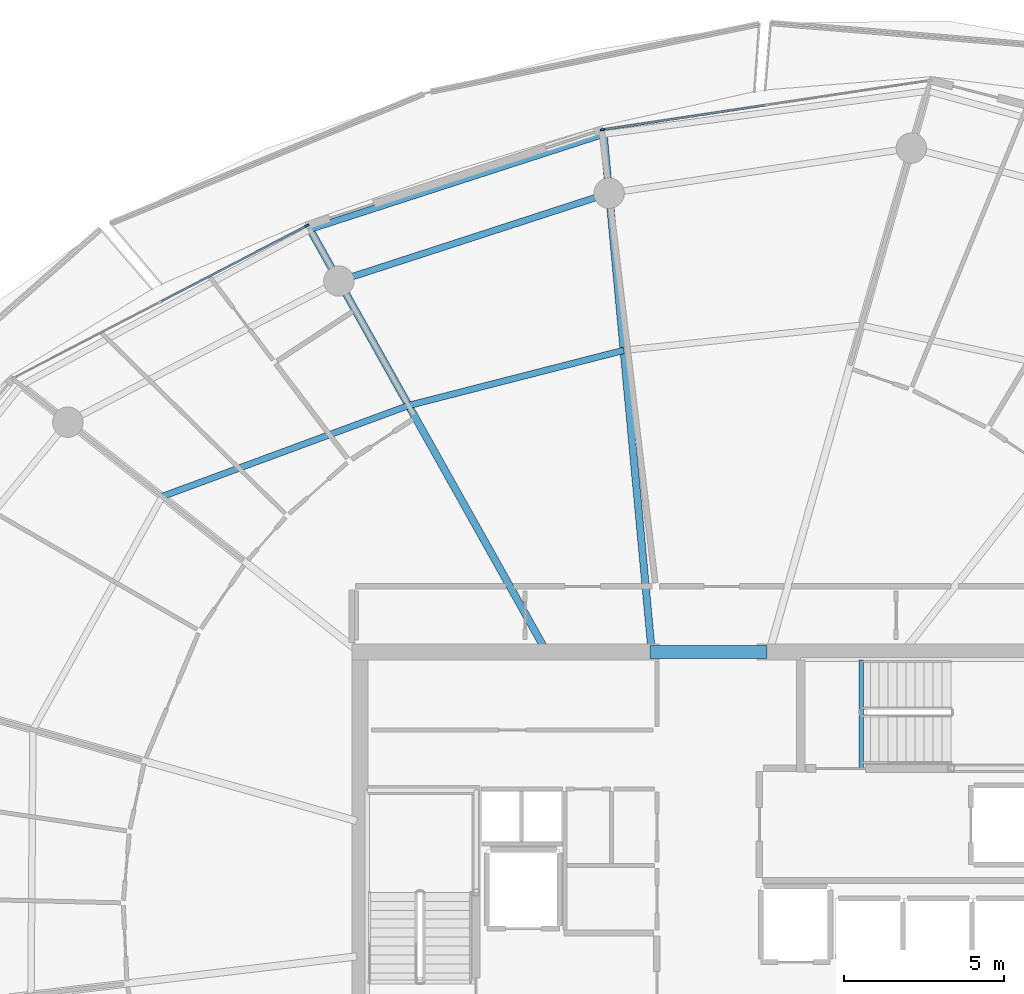
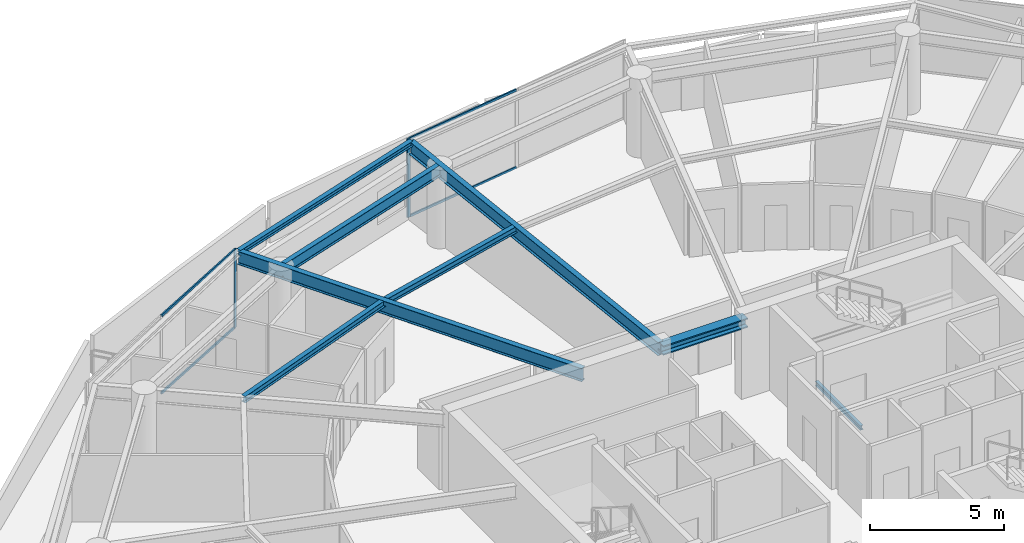
# One storey, part 13 of 31: 8 beams, 6 members, 2 elements without a shape of their own.
"""IFC4 building model written with IfcOpenShell, lengths in metres."""

from ifc_helpers import new_model, si_unit, direction, frame, origin, origin_2d, place, context, subcontext, project, spatial, rectangle, i_section, extrude, material, layer, layer_set, material_profile, profile_set, type_object, element, aggregate, save


model = new_model("IFC4")

# Units and contexts
model_context = context("Model", 3, precision=1e-05, world=origin(), true_north=direction((0.0, 1.0)))
body_context = subcontext(model_context, "Body", "Model", "MODEL_VIEW")
ifc_project = project(units=[si_unit("LENGTHUNIT", "METRE"), si_unit("AREAUNIT", "SQUARE_METRE"), si_unit("VOLUMEUNIT", "CUBIC_METRE"), si_unit("PLANEANGLEUNIT", "RADIAN"), si_unit("MASSUNIT", "GRAM", prefix="KILO")], contexts=[model_context])

# Site, building, storey
site_placement = place(None, origin())
site = spatial("IfcSite", under=ifc_project, at=site_placement, CompositionType="ELEMENT")
building_placement = place(site_placement, origin())
building = spatial("IfcBuilding", under=site, at=building_placement, Name="Kazma Halo Residences", CompositionType="ELEMENT")
storey_placement = place(building_placement, frame((0.0, 0.0, 275.199951171875)))
storey = spatial("IfcBuildingStorey", under=building, at=storey_placement, Name="L69", CompositionType="ELEMENT", Elevation=275.199951171875)

# Beams
ifc_material_1 = material(Name="Steel S355", Category="steel")
ifc_material_profile_1 = material_profile(ifc_material_1, i_section(OverallWidth=0.201904296875, OverallDepth=0.2470703125, WebThickness=0.00732421875, FlangeThickness=0.010986328125, FilletRadius=0.011962890625, at=origin_2d()), Name="W250x49.1")
ifc_profile_set_1 = profile_set([ifc_material_profile_1], Name="Steel S355")
beam_type_1 = type_object("IfcBeamType", Name="BM-BAL-CANT", PredefinedType="BEAM", material=ifc_profile_set_1)
beam_1_placement = place(storey_placement, frame((45.157470703125, 66.412841796875, 3.466552734375), z_axis=(-0.95136941054, -0.308052340826, 0.0), x_axis=(0.308052340826, -0.95136941054, 0.0)))
element("IfcBeam", 1, at=beam_1_placement, inside=storey, type_object=beam_type_1, Name="L69 wave-balcony tie beam 04", PredefinedType="BEAM", context=body_context, shape_type="SweptSolid", body=[
    extrude(i_section(OverallWidth=0.201904296875, OverallDepth=0.2470703125, WebThickness=0.00732421875, FlangeThickness=0.010986328125, FilletRadius=0.011962890625, at=origin_2d()), origin(), (0.0, 0.0, 1.0), 9.635498046875),
])
ifc_material_profile_2 = material_profile(ifc_material_1, i_section(OverallWidth=0.408935546875, OverallDepth=0.425048828125, WebThickness=0.03271484375, FlangeThickness=0.052490234375, FilletRadius=0.02001953125, at=origin_2d()), Name="W360x421")
ifc_profile_set_2 = profile_set([ifc_material_profile_2], Name="Steel S355")
beam_type_2 = type_object("IfcBeamType", Name="BM-CORE-W360H", PredefinedType="BEAM", material=ifc_profile_set_2)
beam_2_placement = place(storey_placement, frame((46.60009765625, 50.25, 3.37744140625), z_axis=(1.0, 0.0, 0.0), x_axis=(0.0, 1.0, 0.0)))
element("IfcBeam", 2, at=beam_2_placement, inside=storey, type_object=beam_type_2, Name="L69 core coupling beam N", PredefinedType="BEAM", context=body_context, shape_type="SweptSolid", body=[
    extrude(i_section(OverallWidth=0.408935546875, OverallDepth=0.425048828125, WebThickness=0.03271484375, FlangeThickness=0.052490234375, FilletRadius=0.02001953125, at=origin_2d()), origin(), (0.0, 0.0, 1.0), 3.64990234375),
])
ifc_material_profile_3 = material_profile(ifc_material_1, i_section(OverallWidth=0.22802734375, OverallDepth=0.60791015625, WebThickness=0.01123046875, FlangeThickness=0.017333984375, FilletRadius=0.01806640625, at=origin_2d()), Name="W610x113")
ifc_profile_set_3 = profile_set([ifc_material_profile_3], Name="Steel S355")
beam_type_3 = type_object("IfcBeamType", Name="BM-RAD-W610", PredefinedType="BEAM", material=ifc_profile_set_3)
beam_3_placement = place(storey_placement, frame((46.64990234375, 50.35009765625, 3.2861328125), z_axis=(-0.092514152003, 0.995711369664, 0.0), x_axis=(-0.995711369664, -0.092514152003, 0.0)))
element("IfcBeam", 3, at=beam_3_placement, inside=storey, type_object=beam_type_3, Name="L69 radial floor beam 04", PredefinedType="BEAM", context=body_context, shape_type="SweptSolid", body=[
    extrude(i_section(OverallWidth=0.22802734375, OverallDepth=0.60791015625, WebThickness=0.01123046875, FlangeThickness=0.017333984375, FilletRadius=0.01806640625, at=origin_2d()), origin(), (0.0, 0.0, 1.0), 16.1318359375),
])
beam_4_placement = place(storey_placement, frame((43.32373046875, 50.35009765625, 3.2861328125), z_axis=(-0.488620706085, 0.872496306918, 0.0), x_axis=(-0.872496306918, -0.488620706085, 0.0)))
element("IfcBeam", 4, at=beam_4_placement, inside=storey, type_object=beam_type_3, Name="L69 radial floor beam 05", PredefinedType="BEAM", context=body_context, shape_type="SweptSolid", body=[
    extrude(i_section(OverallWidth=0.22802734375, OverallDepth=0.60791015625, WebThickness=0.01123046875, FlangeThickness=0.017333984375, FilletRadius=0.01806640625, at=origin_2d()), origin(), (0.0, 0.0, 1.0), 15.008056640625),
])
ifc_material_profile_4 = material_profile(ifc_material_1, i_section(OverallWidth=0.202880859375, OverallDepth=0.302978515625, WebThickness=0.007568359375, FlangeThickness=0.01318359375, FilletRadius=0.013916015625, at=origin_2d()), Name="W310x60")
ifc_profile_set_4 = profile_set([ifc_material_profile_4], Name="Steel S355")
beam_type_4 = type_object("IfcBeamType", Name="BM-SEC-W310A", PredefinedType="JOIST", material=ifc_profile_set_4)
beam_5_placement = place(storey_placement, frame((45.7841796875, 59.66650390625, 3.4384765625), z_axis=(-0.968655607923, -0.248407554714, 0.0), x_axis=(0.248407554714, -0.968655607923, 0.0)))
element("IfcBeam", 5, at=beam_5_placement, inside=storey, type_object=beam_type_4, Name="L69 circumferential floor joist 04", PredefinedType="JOIST", context=body_context, shape_type="SweptSolid", body=[
    extrude(i_section(OverallWidth=0.202880859375, OverallDepth=0.302978515625, WebThickness=0.007568359375, FlangeThickness=0.01318359375, FilletRadius=0.013916015625, at=origin_2d()), origin(), (0.0, 0.0, 1.0), 6.930908203125),
])
beam_6_placement = place(storey_placement, frame((39.070556640625, 57.94482421875, 3.4384765625), z_axis=(-0.938068342894, -0.346450262029, 0.0), x_axis=(0.346450262029, -0.938068342894, 0.0)))
element("IfcBeam", 6, at=beam_6_placement, inside=storey, type_object=beam_type_4, Name="L69 circumferential floor joist 05", PredefinedType="JOIST", context=body_context, shape_type="SweptSolid", body=[
    extrude(i_section(OverallWidth=0.202880859375, OverallDepth=0.302978515625, WebThickness=0.007568359375, FlangeThickness=0.01318359375, FilletRadius=0.013916015625, at=origin_2d()), origin(), (0.0, 0.0, 1.0), 8.200439453125),
])
ifc_material_profile_5 = material_profile(ifc_material_1, i_section(OverallWidth=0.208984375, OverallDepth=0.532958984375, WebThickness=0.01025390625, FlangeThickness=0.015625, FilletRadius=0.01611328125, at=origin_2d()), Name="W530x92")
ifc_profile_set_5 = profile_set([ifc_material_profile_5], Name="Steel S355")
beam_type_5 = type_object("IfcBeamType", Name="BM-SPN-W530", PredefinedType="BEAM", material=ifc_profile_set_5)
beam_7_placement = place(storey_placement, frame((45.32861328125, 64.57080078125, 3.323486328125), z_axis=(-0.951053893407, -0.309025066679, 0.0), x_axis=(0.309025066679, -0.951053893407, 0.0)))
element("IfcBeam", 7, at=beam_7_placement, inside=storey, type_object=beam_type_5, Name="L69 perimeter ring beam 04", PredefinedType="BEAM", context=body_context, shape_type="SweptSolid", body=[
    extrude(i_section(OverallWidth=0.208984375, OverallDepth=0.532958984375, WebThickness=0.01025390625, FlangeThickness=0.015625, FilletRadius=0.01611328125, at=origin_2d()), origin(), (0.0, 0.0, 1.0), 8.8681640625),
])
ifc_material_profile_6 = material_profile(ifc_material_1, i_section(OverallWidth=0.133056640625, OverallDepth=0.20703125, WebThickness=0.005859375, FlangeThickness=0.00830078125, FilletRadius=0.010009765625, at=origin_2d()), Name="W200x26.6")
ifc_profile_set_6 = profile_set([ifc_material_profile_6], Name="Steel S355")
beam_type_6 = type_object("IfcBeamType", Name="BM-TRIM-W200", PredefinedType="BEAM", material=ifc_profile_set_6)
beam_8_placement = place(storey_placement, frame((53.199951171875, 46.6201171875, -0.369873046875), z_axis=(0.0, 1.0, 0.0), x_axis=(-1.0, 0.0, 0.0)))
element("IfcBeam", 8, at=beam_8_placement, inside=storey, type_object=beam_type_6, Name="L69 ST-02 floor landing support beam", PredefinedType="BEAM", context=body_context, shape_type="SweptSolid", body=[
    extrude(i_section(OverallWidth=0.133056640625, OverallDepth=0.20703125, WebThickness=0.005859375, FlangeThickness=0.00830078125, FilletRadius=0.010009765625, at=origin_2d()), origin(), (0.0, 0.0, 1.0), 3.3798828125),
])

# Curtain wall, member
ifc_material_2 = material(Name="Aluminium AW-6063 T6 and Triple-Silver Low-E Glass", Category="aluminium")
ifc_layer = layer(ifc_material_2, 0.139892578125)
ifc_layer_set = layer_set([ifc_layer], Name="Aluminium AW-6063 T6 and Triple-Silver Low-E Glass")
curtain_wall_type = type_object("IfcCurtainWallType", Name="CW-SYS-5", PredefinedType="NOTDEFINED", material=ifc_layer_set)
curtain_wall_1_placement = place(storey_placement, origin())
curtain_wall_1 = element("IfcCurtainWall", 9, at=curtain_wall_1_placement, inside=storey, type_object=curtain_wall_type, Name="L69 unitised curtain wall B03", PredefinedType="NOTDEFINED")
ifc_material_3 = material(Name="Aluminium AW-6063 T6", Category="aluminium")
ifc_material_profile_7 = material_profile(ifc_material_3, rectangle(XDim=0.06005859375, YDim=0.139892578125, at=origin_2d()), Name="CWM-60x140")
ifc_profile_set_7 = profile_set([ifc_material_profile_7], Name="Aluminium AW-6063 T6")
member_type_1 = type_object("IfcMemberType", Name="CW-SYS-5-MUL", PredefinedType="MULLION", material=ifc_profile_set_7)
member_1_placement = place(storey_placement, frame((45.124267578125, 66.552734375, 0.0), z_axis=(0.0, 0.0, 1.0), x_axis=(0.148697080374, -0.988882792998, 0.0)))
member_1 = element("IfcMember", 10, at=member_1_placement, type_object=member_type_1, Name="CWS-5 mullion 3", PredefinedType="MULLION", context=body_context, shape_type="SweptSolid", body=[
    extrude(rectangle(XDim=0.06005859375, YDim=0.139892578125, at=origin_2d()), origin(), (0.0, 0.0, 1.0), 3.590087890625),
])

curtain_wall_2_placement = place(storey_placement, origin())
curtain_wall_2 = element("IfcCurtainWall", 11, at=curtain_wall_2_placement, inside=storey, type_object=curtain_wall_type, Name="L69 unitised curtain wall B05", PredefinedType="NOTDEFINED")
member_2_placement = place(storey_placement, frame((35.894775390625, 63.553955078125, 0.0), z_axis=(0.0, 0.0, 1.0), x_axis=(0.460960760804, -0.887420518694, 0.0)))
member_2 = element("IfcMember", 12, at=member_2_placement, type_object=member_type_1, Name="CWS-5 mullion 1", PredefinedType="MULLION", context=body_context, shape_type="SweptSolid", body=[
    extrude(rectangle(XDim=0.06005859375, YDim=0.139892578125, at=origin_2d()), origin(), (0.0, 0.0, 1.0), 3.590087890625),
])

# Member
ifc_material_profile_8 = material_profile(ifc_material_3, rectangle(XDim=0.06005859375, YDim=0.10498046875, at=origin_2d()), Name="CWT-60x105")
ifc_profile_set_8 = profile_set([ifc_material_profile_8], Name="Aluminium AW-6063 T6")
member_type_2 = type_object("IfcMemberType", Name="CW-SYS-5-TRN", PredefinedType="USERDEFINED", material=ifc_profile_set_8)
member_3_placement = place(storey_placement, frame((50.19677734375, 67.3154296875, 0.030029296875), z_axis=(-0.988882913569, -0.148696278541, 0.0), x_axis=(0.148696278541, -0.988882913569, 0.0)))
member_3 = element("IfcMember", 13, at=member_3_placement, type_object=member_type_2, Name="CWS-5 transom 2.1", ObjectType="TRANSOM", PredefinedType="USERDEFINED", context=body_context, shape_type="SweptSolid", body=[
    extrude(rectangle(XDim=0.06005859375, YDim=0.10498046875, at=origin_2d()), origin(), (0.0, 0.0, 1.0), 5.099609375),
])

member_4_placement = place(storey_placement, frame((50.19677734375, 67.3154296875, 3.56005859375), z_axis=(-0.988882913569, -0.148696278541, 0.0), x_axis=(0.148696278541, -0.988882913569, 0.0)))
member_4 = element("IfcMember", 14, at=member_4_placement, type_object=member_type_2, Name="CWS-5 transom 2.2", ObjectType="TRANSOM", PredefinedType="USERDEFINED", context=body_context, shape_type="SweptSolid", body=[
    extrude(rectangle(XDim=0.06005859375, YDim=0.10498046875, at=origin_2d()), origin(), (0.0, 0.0, 1.0), 5.099609375),
])

aggregate(curtain_wall_1, [member_1, member_3, member_4])

member_5_placement = place(storey_placement, frame((35.8681640625, 63.5400390625, 0.030029296875), z_axis=(-0.887436955863, -0.46092911534, 0.0), x_axis=(0.46092911534, -0.887436955863, 0.0)))
member_5 = element("IfcMember", 15, at=member_5_placement, type_object=member_type_2, Name="CWS-5 transom 1.1", ObjectType="TRANSOM", PredefinedType="USERDEFINED", context=body_context, shape_type="SweptSolid", body=[
    extrude(rectangle(XDim=0.06005859375, YDim=0.10498046875, at=origin_2d()), origin(), (0.0, 0.0, 1.0), 5.099609375),
])

member_6_placement = place(storey_placement, frame((35.8681640625, 63.5400390625, 3.56005859375), z_axis=(-0.887436955863, -0.46092911534, 0.0), x_axis=(0.46092911534, -0.887436955863, 0.0)))
member_6 = element("IfcMember", 16, at=member_6_placement, type_object=member_type_2, Name="CWS-5 transom 1.2", ObjectType="TRANSOM", PredefinedType="USERDEFINED", context=body_context, shape_type="SweptSolid", body=[
    extrude(rectangle(XDim=0.06005859375, YDim=0.10498046875, at=origin_2d()), origin(), (0.0, 0.0, 1.0), 5.099609375),
])

aggregate(curtain_wall_2, [member_2, member_5, member_6])

save(model, "model.ifc")
